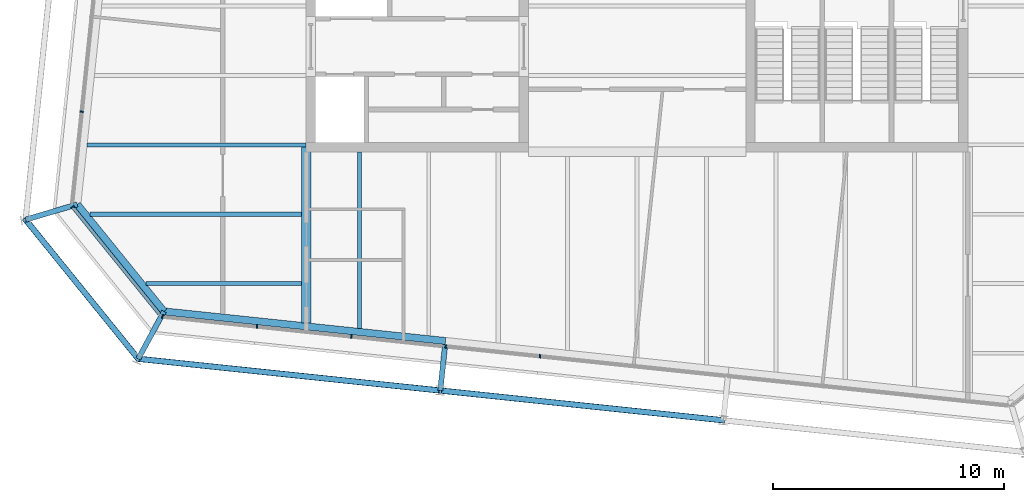
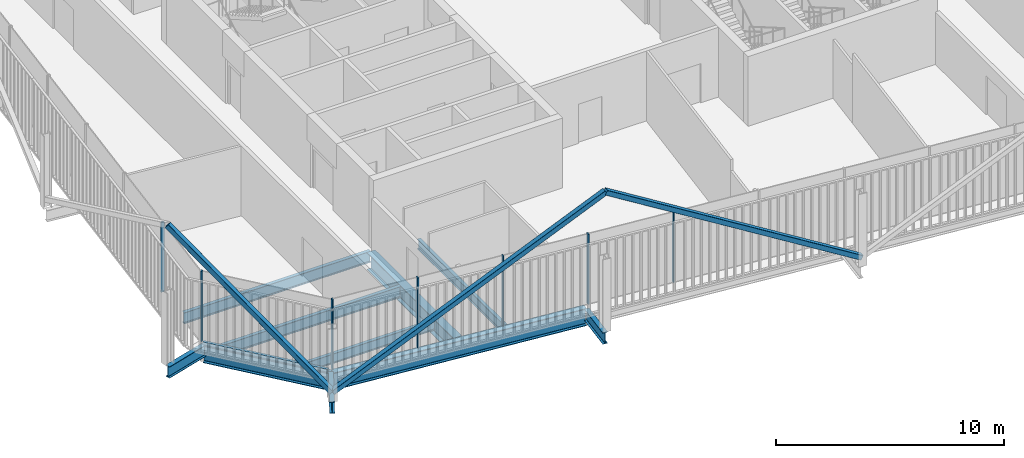
# One storey, part 3 of 21: 11 members, 10 beams, 3 elements without a shape of their own.
"""IFC4 building model written with IfcOpenShell, lengths in metres."""

from ifc_helpers import new_model, si_unit, direction, frame, origin, origin_2d, place, context, subcontext, project, spatial, rectangle, hollow_rectangle, i_section, extrude, material, layer, layer_set, material_profile, profile_set, type_object, element, aggregate, save


model = new_model("IFC4")

# Units and contexts
model_context = context("Model", 3, precision=1e-05, world=origin(), true_north=direction((0.0, 1.0)))
body_context = subcontext(model_context, "Body", "Model", "MODEL_VIEW")
ifc_project = project(units=[si_unit("LENGTHUNIT", "METRE"), si_unit("AREAUNIT", "SQUARE_METRE"), si_unit("VOLUMEUNIT", "CUBIC_METRE"), si_unit("PLANEANGLEUNIT", "RADIAN"), si_unit("MASSUNIT", "GRAM", prefix="KILO")], contexts=[model_context])

# Site, building, storey
site_placement = place(None, origin())
site = spatial("IfcSite", under=ifc_project, at=site_placement, CompositionType="ELEMENT")
building_placement = place(site_placement, origin())
building = spatial("IfcBuilding", under=site, at=building_placement, Name="Millrace Tower", CompositionType="ELEMENT")
storey_placement = place(building_placement, frame((0.0, 0.0, 318.699951171875)))
storey = spatial("IfcBuildingStorey", under=building, at=storey_placement, Name="L73", CompositionType="ELEMENT", Elevation=318.699951171875)

# Curtain wall, member
ifc_material_1 = material(Name="Aluminium and glass", Category="aluminium")
ifc_layer = layer(ifc_material_1, 0.14990234375)
ifc_layer_set = layer_set([ifc_layer], Name="Aluminium and glass")
curtain_wall_type = type_object("IfcCurtainWallType", Name="CW-1 office vision curtain wall", PredefinedType="NOTDEFINED", material=ifc_layer_set)
placement = place(storey_placement, origin())
curtain_wall_1 = element("IfcCurtainWall", 1, at=placement, inside=storey, type_object=curtain_wall_type, Name="Curtain wall E-F01 L73", PredefinedType="NOTDEFINED")
ifc_material_2 = material(Name="Aluminium", Category="aluminium")
ifc_material_profile_1 = material_profile(ifc_material_2, rectangle(XDim=0.06494140625, YDim=0.14990234375, at=origin_2d()))
ifc_profile_set_1 = profile_set([ifc_material_profile_1], Name="Aluminium")
member_type_1 = type_object("IfcMemberType", Name="CW-1 office vision curtain wall mullion", PredefinedType="MULLION", material=ifc_profile_set_1)
member_1_placement = place(storey_placement, frame((-24.391845703125, -11.693359375, 0.14013671875), z_axis=(0.0, 0.0, 1.0), x_axis=(0.629320278945, -0.777146052237, 0.0)))
member_1 = element("IfcMember", 2, at=member_1_placement, type_object=member_type_1, Name="CW1 mullion E-F01.1", PredefinedType="MULLION", context=body_context, shape_type="SweptSolid", body=[
    extrude(rectangle(XDim=0.06494140625, YDim=0.14990234375, at=origin_2d()), origin(), (0.0, 0.0, 1.0), 3.760009765625),
])

# Curtain wall, members
curtain_wall_2 = element("IfcCurtainWall", 3, at=placement, inside=storey, type_object=curtain_wall_type, Name="Curtain wall E-F02 L73", PredefinedType="NOTDEFINED")
member_2_placement = place(storey_placement, frame((-20.50244140625, -16.4248046875, 0.14013671875), z_axis=(0.0, 0.0, 1.0), x_axis=(0.994521896217, -0.104528455196, 0.0)))
member_2 = element("IfcMember", 4, at=member_2_placement, type_object=member_type_1, Name="CW1 mullion E-F02.1", PredefinedType="MULLION", context=body_context, shape_type="SweptSolid", body=[
    extrude(rectangle(XDim=0.06494140625, YDim=0.14990234375, at=origin_2d()), origin(), (0.0, 0.0, 1.0), 3.760009765625),
])
member_3_placement = place(storey_placement, frame((-16.425048828125, -16.853271484375, 0.14013671875), z_axis=(0.0, 0.0, 1.0), x_axis=(0.994521896217, -0.104528455196, 0.0)))
member_3 = element("IfcMember", 5, at=member_3_placement, type_object=member_type_1, Name="CW1 mullion E-F02.2", PredefinedType="MULLION", context=body_context, shape_type="SweptSolid", body=[
    extrude(rectangle(XDim=0.06494140625, YDim=0.14990234375, at=origin_2d()), origin(), (0.0, 0.0, 1.0), 3.760009765625),
])
member_4_placement = place(storey_placement, frame((-12.347412109375, -17.281982421875, 0.14013671875), z_axis=(0.0, 0.0, 1.0), x_axis=(0.994521896217, -0.104528455196, 0.0)))
member_4 = element("IfcMember", 6, at=member_4_placement, type_object=member_type_1, Name="CW1 mullion E-F02.3", PredefinedType="MULLION", context=body_context, shape_type="SweptSolid", body=[
    extrude(rectangle(XDim=0.06494140625, YDim=0.14990234375, at=origin_2d()), origin(), (0.0, 0.0, 1.0), 3.760009765625),
])
member_5_placement = place(storey_placement, frame((-8.269775390625, -17.71044921875, 0.14013671875), z_axis=(0.0, 0.0, 1.0), x_axis=(0.994521896217, -0.104528455196, 0.0)))
member_5 = element("IfcMember", 7, at=member_5_placement, type_object=member_type_1, Name="CW1 mullion E-F02.4", PredefinedType="MULLION", context=body_context, shape_type="SweptSolid", body=[
    extrude(rectangle(XDim=0.06494140625, YDim=0.14990234375, at=origin_2d()), origin(), (0.0, 0.0, 1.0), 3.760009765625),
])
member_6_placement = place(storey_placement, frame((-4.1923828125, -18.13916015625, 0.14013671875), z_axis=(0.0, 0.0, 1.0), x_axis=(0.994521896217, -0.104528455196, 0.0)))
member_6 = element("IfcMember", 8, at=member_6_placement, type_object=member_type_1, Name="CW1 mullion E-F02.5", PredefinedType="MULLION", context=body_context, shape_type="SweptSolid", body=[
    extrude(rectangle(XDim=0.06494140625, YDim=0.14990234375, at=origin_2d()), origin(), (0.0, 0.0, 1.0), 3.760009765625),
])
aggregate(curtain_wall_2, [member_2, member_3, member_4, member_5, member_6])

# Curtain wall, member
curtain_wall_3 = element("IfcCurtainWall", 9, at=placement, inside=storey, type_object=curtain_wall_type, Name="Curtain wall E-F08 L73", PredefinedType="NOTDEFINED")
member_7_placement = place(storey_placement, frame((-24.00341796875, -7.56787109375, 0.14013671875), z_axis=(0.0, 0.0, 1.0), x_axis=(-0.104528455196, -0.994521896217, 0.0)))
member_7 = element("IfcMember", 10, at=member_7_placement, type_object=member_type_1, Name="CW1 mullion E-F08.9", PredefinedType="MULLION", context=body_context, shape_type="SweptSolid", body=[
    extrude(rectangle(XDim=0.06494140625, YDim=0.14990234375, at=origin_2d()), origin(), (0.0, 0.0, 1.0), 3.760009765625),
])
aggregate(curtain_wall_3, [member_7])

# Member
ifc_material_3 = material(Name="Aluminium", Category="aluminium")
ifc_material_profile_2 = material_profile(ifc_material_3, rectangle(XDim=0.14990234375, YDim=0.139892578125, at=origin_2d()))
ifc_profile_set_2 = profile_set([ifc_material_profile_2], Name="Aluminium")
member_type_2 = type_object("IfcMemberType", Name="CW-1 office vision curtain wall transom", PredefinedType="USERDEFINED", material=ifc_profile_set_2)
member_8_placement = place(storey_placement, frame((-24.349365234375, -11.745849609375, 0.070068359375), z_axis=(0.629321221277, -0.777145289151, 0.0), x_axis=(0.777145289151, 0.629321221277, 0.0)))
member_8 = element("IfcMember", 11, at=member_8_placement, type_object=member_type_2, Name="CW1 transom E-F01.1", ObjectType="TRANSOM", PredefinedType="USERDEFINED", context=body_context, shape_type="SweptSolid", body=[
    extrude(rectangle(XDim=0.14990234375, YDim=0.139892578125, at=origin_2d()), origin(), (0.0, 0.0, 1.0), 5.881103515625),
])

aggregate(curtain_wall_1, [member_1, member_8])

# Members
ifc_material_4 = material(Name="Steel ASTM A500 Grade C", Category="steel")
ifc_material_profile_3 = material_profile(ifc_material_4, hollow_rectangle(XDim=0.25390625, YDim=0.25390625, WallThickness=0.009521484375, InnerFilletRadius=0.004638671875, OuterFilletRadius=0.014404296875, at=origin_2d()))
ifc_profile_set_3 = profile_set([ifc_material_profile_3], Name="Steel ASTM A500 Grade C")
member_type_3 = type_object("IfcMemberType", Name="Exoskeleton brace HSS10x10x3/8", PredefinedType="BRACE", material=ifc_profile_set_3)
member_9_placement = place(storey_placement, frame((-21.559814453125, -18.249267578125, 0.400146484375), z_axis=(-0.466694392708, 0.57631352586, 0.670864415308), x_axis=(-0.777142728993, -0.62932438279, 0.0)))
element("IfcMember", 12, at=member_9_placement, inside=storey, type_object=member_type_3, Name="BRC-E-L73-01", PredefinedType="BRACE", context=body_context, shape_type="SweptSolid", body=[
    extrude(hollow_rectangle(XDim=0.25390625, YDim=0.25390625, WallThickness=0.009521484375, InnerFilletRadius=0.004638671875, OuterFilletRadius=0.014404296875, at=origin_2d()), origin(), (0.0, 0.0, 1.0), 10.434326171875),
])
member_10_placement = place(storey_placement, frame((-21.559814453125, -18.249267578125, 0.400146484375), z_axis=(0.877568210125, -0.092238278747, 0.470495628578), x_axis=(0.104530865473, 0.994521642883, 0.0)))
element("IfcMember", 13, at=member_10_placement, inside=storey, type_object=member_type_3, Name="BRC-E-L73-02", PredefinedType="BRACE", context=body_context, shape_type="SweptSolid", body=[
    extrude(hollow_rectangle(XDim=0.25390625, YDim=0.25390625, WallThickness=0.009521484375, InnerFilletRadius=0.004638671875, OuterFilletRadius=0.014404296875, at=origin_2d()), origin(), (0.0, 0.0, 1.0), 14.8779296875),
])
member_11_placement = place(storey_placement, frame((3.729248046875, -20.9072265625, 0.400146484375), z_axis=(-0.864351522622, 0.090842732624, 0.494615045537), x_axis=(-0.104523600289, -0.994522406476, 0.0)))
element("IfcMember", 14, at=member_11_placement, inside=storey, type_object=member_type_3, Name="BRC-E-L73-03", PredefinedType="BRACE", context=body_context, shape_type="SweptSolid", body=[
    extrude(hollow_rectangle(XDim=0.25390625, YDim=0.25390625, WallThickness=0.009521484375, InnerFilletRadius=0.004638671875, OuterFilletRadius=0.014404296875, at=origin_2d()), origin(), (0.0, 0.0, 1.0), 14.15234375),
])

# Beams
ifc_material_5 = material(Name="Steel ASTM A992 Grade 50", Category="steel")
ifc_material_profile_4 = material_profile(ifc_material_5, i_section(OverallWidth=0.1650390625, OverallDepth=0.52587890625, WebThickness=0.0087890625, FlangeThickness=0.011474609375, FilletRadius=0.0126953125, at=origin_2d()))
ifc_profile_set_4 = profile_set([ifc_material_profile_4], Name="Steel ASTM A992 Grade 50")
beam_type_1 = type_object("IfcBeamType", Name="Floor beam W21x44", PredefinedType="JOIST", material=ifc_profile_set_4)
beam_1_placement = place(storey_placement, frame((-12.0, -16.93408203125, -0.4228515625), z_axis=(0.0, 1.0, 0.0), x_axis=(-1.0, 0.0, 0.0)))
element("IfcBeam", 15, at=beam_1_placement, inside=storey, type_object=beam_type_1, Name="BM-E-L73-S1-S037", PredefinedType="JOIST", context=body_context, shape_type="SweptSolid", body=[
    extrude(i_section(OverallWidth=0.1650390625, OverallDepth=0.52587890625, WebThickness=0.0087890625, FlangeThickness=0.011474609375, FilletRadius=0.0126953125, at=origin_2d()), origin(), (0.0, 0.0, 1.0), 7.634033203125),
])
beam_2_placement = place(storey_placement, frame((-21.214111328125, -15.0, -0.4228515625), z_axis=(1.0, 0.0, 0.0), x_axis=(0.0, 1.0, 0.0)))
element("IfcBeam", 16, at=beam_2_placement, inside=storey, type_object=beam_type_1, Name="BM-E-L73-S1-S002", PredefinedType="JOIST", context=body_context, shape_type="SweptSolid", body=[
    extrude(i_section(OverallWidth=0.1650390625, OverallDepth=0.52587890625, WebThickness=0.0087890625, FlangeThickness=0.011474609375, FilletRadius=0.0126953125, at=origin_2d()), origin(), (0.0, 0.0, 1.0), 6.70458984375),
])
ifc_material_6 = material(Name="Steel ASTM A992 Grade 50", Category="steel")
ifc_material_profile_5 = material_profile(ifc_material_6, i_section(OverallWidth=0.177978515625, OverallDepth=0.599365234375, WebThickness=0.010009765625, FlangeThickness=0.012939453125, FilletRadius=0.012939453125, at=origin_2d()))
ifc_profile_set_5 = profile_set([ifc_material_profile_5], Name="Steel ASTM A992 Grade 50")
beam_type_2 = type_object("IfcBeamType", Name="Floor beam W24x55", PredefinedType="JOIST", material=ifc_profile_set_5)
beam_3_placement = place(storey_placement, frame((-23.76953125, -9.0, -0.459716796875), z_axis=(1.0, 0.0, 0.0), x_axis=(0.0, 1.0, 0.0)))
element("IfcBeam", 17, at=beam_3_placement, inside=storey, type_object=beam_type_2, Name="BM-E-L73-S1-S006", PredefinedType="JOIST", context=body_context, shape_type="SweptSolid", body=[
    extrude(i_section(OverallWidth=0.177978515625, OverallDepth=0.599365234375, WebThickness=0.010009765625, FlangeThickness=0.012939453125, FilletRadius=0.012939453125, at=origin_2d()), origin(), (0.0, 0.0, 1.0), 9.469482421875),
])
beam_4_placement = place(storey_placement, frame((-23.635498046875, -12.0, -0.459716796875), z_axis=(1.0, 0.0, 0.0), x_axis=(0.0, 1.0, 0.0)))
element("IfcBeam", 18, at=beam_4_placement, inside=storey, type_object=beam_type_2, Name="BM-E-L73-S1-S004", PredefinedType="JOIST", context=body_context, shape_type="SweptSolid", body=[
    extrude(i_section(OverallWidth=0.177978515625, OverallDepth=0.599365234375, WebThickness=0.010009765625, FlangeThickness=0.012939453125, FilletRadius=0.012939453125, at=origin_2d()), origin(), (0.0, 0.0, 1.0), 9.1259765625),
])
ifc_material_7 = material(Name="Steel ASTM A992 Grade 50", Category="steel")
ifc_material_profile_6 = material_profile(ifc_material_7, i_section(OverallWidth=0.419189453125, OverallDepth=0.927001953125, WebThickness=0.019287109375, FlangeThickness=0.031982421875, FilletRadius=0.024169921875, at=origin_2d()))
ifc_profile_set_6 = profile_set([ifc_material_profile_6], Name="Steel ASTM A992 Grade 50")
beam_type_3 = type_object("IfcBeamType", Name="Girder short span W36x231", PredefinedType="BEAM", material=ifc_profile_set_6)
beam_5_placement = place(storey_placement, frame((-14.300048828125, -16.6923828125, -0.62353515625), z_axis=(0.0, 1.0, 0.0), x_axis=(-1.0, 0.0, 0.0)))
element("IfcBeam", 19, at=beam_5_placement, inside=storey, type_object=beam_type_3, Name="BM-E-L73-S1-G055", PredefinedType="BEAM", context=body_context, shape_type="SweptSolid", body=[
    extrude(i_section(OverallWidth=0.419189453125, OverallDepth=0.927001953125, WebThickness=0.019287109375, FlangeThickness=0.031982421875, FilletRadius=0.024169921875, at=origin_2d()), origin(), (0.0, 0.0, 1.0), 7.600341796875),
])
ifc_material_8 = material(Name="Steel ASTM A992 Grade 50", Category="steel")
ifc_material_profile_7 = material_profile(ifc_material_8, i_section(OverallWidth=0.23046875, OverallDepth=0.6171875, WebThickness=0.01318359375, FlangeThickness=0.022216796875, FilletRadius=0.012939453125, at=origin_2d()))
ifc_profile_set_7 = profile_set([ifc_material_profile_7], Name="Steel ASTM A992 Grade 50")
beam_type_4 = type_object("IfcBeamType", Name="Link beam W24x94", PredefinedType="BEAM", material=ifc_profile_set_7)
beam_6_placement = place(storey_placement, frame((-24.1943359375, -11.57373046875, -0.468505859375), z_axis=(-0.958815015936, -0.284031275065, 0.0), x_axis=(0.284031275065, -0.958815015936, 0.0)))
element("IfcBeam", 20, at=beam_6_placement, inside=storey, type_object=beam_type_4, Name="LNK-E-L73-S1-01", PredefinedType="BEAM", context=body_context, shape_type="SweptSolid", body=[
    extrude(i_section(OverallWidth=0.23046875, OverallDepth=0.6171875, WebThickness=0.01318359375, FlangeThickness=0.022216796875, FilletRadius=0.012939453125, at=origin_2d()), origin(), (0.0, 0.0, 1.0), 2.3310546875),
])
beam_7_placement = place(storey_placement, frame((-8.29443359375, -17.632568359375, -0.468505859375), z_axis=(-0.104494148666, -0.99452550138, 0.0), x_axis=(0.99452550138, -0.104494148666, 0.0)))
element("IfcBeam", 21, at=beam_7_placement, inside=storey, type_object=beam_type_4, Name="LNK-E-L73-S1-15", PredefinedType="BEAM", context=body_context, shape_type="SweptSolid", body=[
    extrude(i_section(OverallWidth=0.23046875, OverallDepth=0.6171875, WebThickness=0.01318359375, FlangeThickness=0.022216796875, FilletRadius=0.012939453125, at=origin_2d()), origin(), (0.0, 0.0, 1.0), 2.0),
])
beam_8_placement = place(storey_placement, frame((-20.447509765625, -16.20068359375, -0.468505859375), z_axis=(-0.477163510307, -0.87881453358, 0.0), x_axis=(0.87881453358, -0.477163510307, 0.0)))
element("IfcBeam", 22, at=beam_8_placement, inside=storey, type_object=beam_type_4, Name="LNK-E-L73-S1-16", PredefinedType="BEAM", context=body_context, shape_type="SweptSolid", body=[
    extrude(i_section(OverallWidth=0.23046875, OverallDepth=0.6171875, WebThickness=0.01318359375, FlangeThickness=0.022216796875, FilletRadius=0.012939453125, at=origin_2d()), origin(), (0.0, 0.0, 1.0), 2.3310546875),
])
ifc_material_9 = material(Name="Steel ASTM A992 Grade 50", Category="steel")
ifc_material_profile_8 = material_profile(ifc_material_9, i_section(OverallWidth=0.307373046875, OverallDepth=0.927001953125, WebThickness=0.01953125, FlangeThickness=0.031982421875, FilletRadius=0.01904296875, at=origin_2d()))
ifc_profile_set_8 = profile_set([ifc_material_profile_8], Name="Steel ASTM A992 Grade 50")
beam_type_5 = type_object("IfcBeamType", Name="Ring beam medium span W36x194", PredefinedType="SPANDREL", material=ifc_profile_set_8)
beam_9_placement = place(storey_placement, frame((-8.2783203125, -17.479736328125, -0.62353515625), z_axis=(-0.994521730693, 0.104530030035, 0.0), x_axis=(-0.104530030035, -0.994521730693, 0.0)))
element("IfcBeam", 23, at=beam_9_placement, inside=storey, type_object=beam_type_5, Name="RNG-E-L73-S1-15", PredefinedType="SPANDREL", context=body_context, shape_type="SweptSolid", body=[
    extrude(i_section(OverallWidth=0.307373046875, OverallDepth=0.927001953125, WebThickness=0.01953125, FlangeThickness=0.031982421875, FilletRadius=0.01904296875, at=origin_2d()), origin(), (0.0, 0.0, 1.0), 12.236328125),
])
ifc_material_10 = material(Name="Steel ASTM A992 Grade 50", Category="steel")
ifc_material_profile_9 = material_profile(ifc_material_10, i_section(OverallWidth=0.307373046875, OverallDepth=0.927001953125, WebThickness=0.01953125, FlangeThickness=0.031982421875, FilletRadius=0.01904296875, at=origin_2d()))
ifc_profile_set_9 = profile_set([ifc_material_profile_9], Name="Steel ASTM A992 Grade 50")
beam_type_6 = type_object("IfcBeamType", Name="Ring beam short span W36x194", PredefinedType="SPANDREL", material=ifc_profile_set_9)
beam_10_placement = place(storey_placement, frame((-20.447509765625, -16.20068359375, -0.62353515625), z_axis=(-0.629319722443, 0.777146502883, 0.0), x_axis=(-0.777146502883, -0.629319722443, 0.0)))
element("IfcBeam", 24, at=beam_10_placement, inside=storey, type_object=beam_type_6, Name="RNG-E-L73-S1-16", PredefinedType="SPANDREL", context=body_context, shape_type="SweptSolid", body=[
    extrude(i_section(OverallWidth=0.307373046875, OverallDepth=0.927001953125, WebThickness=0.01953125, FlangeThickness=0.031982421875, FilletRadius=0.01904296875, at=origin_2d()), origin(), (0.0, 0.0, 1.0), 5.953857421875),
])

save(model, "model.ifc")
